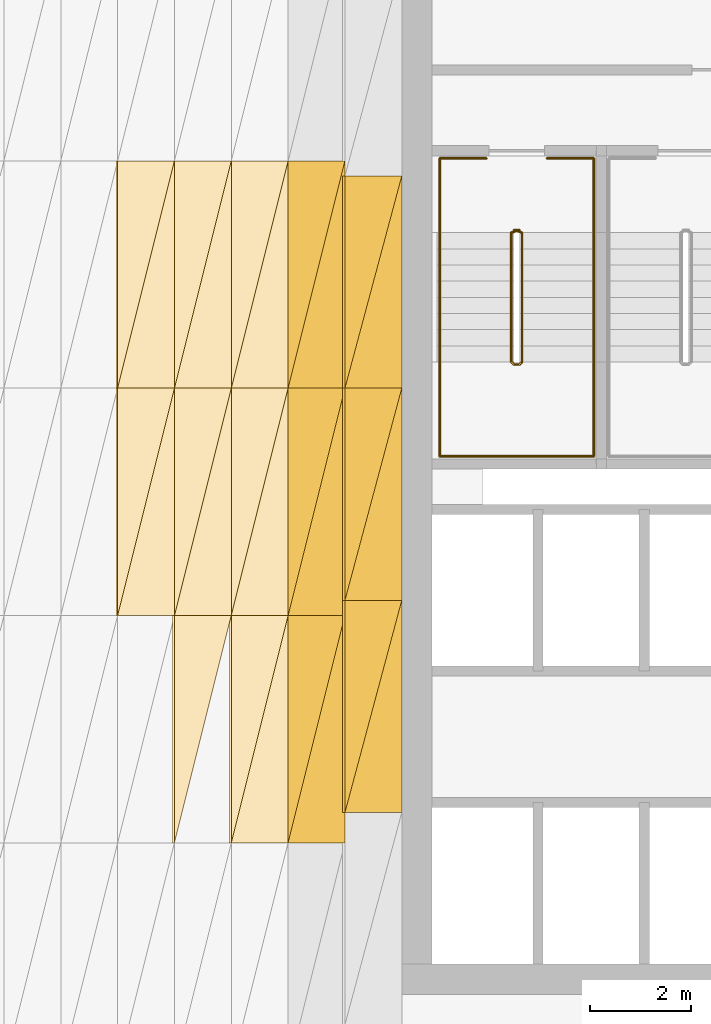
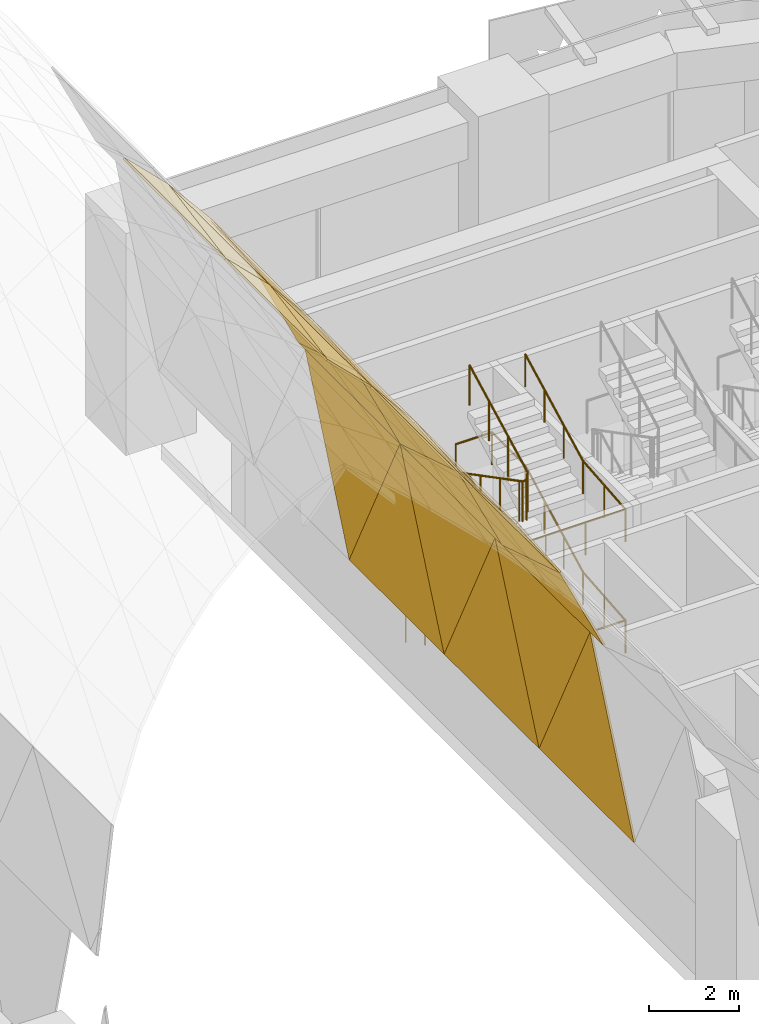
# One storey, part 44 of 46: 27 coverings, 3 railings.
"""IFC4 building model written with IfcOpenShell, lengths in metres."""

from ifc_helpers import new_model, si_unit, direction, frame, origin, origin_2d, place, context, subcontext, project, spatial, polyline, circle, outline, extrude, material, layer, layer_set, type_object, element, save


model = new_model("IFC4")

# Units and contexts
model_context = context("Model", 3, precision=1e-05, world=origin(), true_north=direction((0.0, 1.0)))
body_context = subcontext(model_context, "Body", "Model", "MODEL_VIEW")
ifc_project = project(units=[si_unit("LENGTHUNIT", "METRE"), si_unit("AREAUNIT", "SQUARE_METRE"), si_unit("VOLUMEUNIT", "CUBIC_METRE"), si_unit("PLANEANGLEUNIT", "RADIAN"), si_unit("MASSUNIT", "GRAM", prefix="KILO")], contexts=[model_context])

# Site, building, storey
site_placement = place(None, origin())
site = spatial("IfcSite", under=ifc_project, at=site_placement, CompositionType="ELEMENT")
building_placement = place(site_placement, origin())
building = spatial("IfcBuilding", under=site, at=building_placement, Name="Tessera Arch", CompositionType="ELEMENT")
storey_placement = place(building_placement, frame((0.0, 0.0, 8.0)))
storey = spatial("IfcBuildingStorey", under=building, at=storey_placement, Name="L01", CompositionType="ELEMENT", Elevation=8.0)

# Coverings
ifc_material_1 = material(Name="Aluminium cladding pale metal anodised", Category="aluminium")
ifc_layer = layer(ifc_material_1, 0.050048828125)
ifc_layer_set = layer_set([ifc_layer], Name="Arch soffit panel")
covering_type = type_object("IfcCoveringType", Name="Arch soffit panel", PredefinedType="CLADDING", material=ifc_layer_set)
covering_1_placement = place(storey_placement, frame((30.375, 36.0, 14.6337890625), z_axis=(0.70300502251, 0.0, 0.711184883364), x_axis=(0.711184883364, 0.0, -0.70300502251)))
element("IfcCovering", 1, at=covering_1_placement, inside=storey, type_object=covering_type, Name="Arch soffit panel 12-9-1", PredefinedType="CLADDING", context=body_context, shape_type="SweptSolid", body=[
    extrude(outline(polyline([(0.0, 0.0), (1.5818671435730385, 0.0), (1.5818671435730385, 4.5), (0.0, 0.0)])), origin(), (0.0, 0.0, -1.0), 0.050048828125),
])
covering_2_placement = place(storey_placement, frame((30.375, 36.0, 14.6337890625), z_axis=(0.70300502251, 0.0, 0.711184883364), x_axis=(0.235852147397, 0.943408589587, -0.233139438236)))
element("IfcCovering", 2, at=covering_2_placement, inside=storey, type_object=covering_type, Name="Arch soffit panel 12-9-2", PredefinedType="CLADDING", context=body_context, shape_type="SweptSolid", body=[
    extrude(outline(polyline([(0.0, 0.0), (4.769937490147635, 0.0), (4.245338653143071, 1.4923470508328087), (0.0, 0.0)])), origin(), (0.0, 0.0, -1.0), 0.050048828125),
])
covering_3_placement = place(storey_placement, frame((30.375, 40.5, 14.6337890625), z_axis=(0.70300502251, 0.0, 0.711184883364), x_axis=(0.711184883364, 0.0, -0.70300502251)))
element("IfcCovering", 3, at=covering_3_placement, inside=storey, type_object=covering_type, Name="Arch soffit panel 12-10-1", PredefinedType="CLADDING", context=body_context, shape_type="SweptSolid", body=[
    extrude(outline(polyline([(0.0, 0.0), (1.5818671435730385, 0.0), (1.5818671435730385, 4.5), (0.0, 0.0)])), origin(), (0.0, 0.0, -1.0), 0.050048828125),
])
covering_4_placement = place(storey_placement, frame((30.375, 40.5, 14.6337890625), z_axis=(0.70300502251, 0.0, 0.711184883364), x_axis=(0.235852147397, 0.943408589587, -0.233139438236)))
element("IfcCovering", 4, at=covering_4_placement, inside=storey, type_object=covering_type, Name="Arch soffit panel 12-10-2", PredefinedType="CLADDING", context=body_context, shape_type="SweptSolid", body=[
    extrude(outline(polyline([(0.0, 0.0), (4.769937490147635, 0.0), (4.245338653143071, 1.4923470508328087), (0.0, 0.0)])), origin(), (0.0, 0.0, -1.0), 0.050048828125),
])
covering_5_placement = place(storey_placement, frame((31.5, 31.5, 13.521728515625), z_axis=(0.769435590456, 0.0, 0.638724410164), x_axis=(0.232802733554, 0.931210934214, -0.280444438793)))
element("IfcCovering", 5, at=covering_5_placement, inside=storey, type_object=covering_type, Name="Arch soffit panel 13-8-2", PredefinedType="CLADDING", context=body_context, shape_type="SweptSolid", body=[
    extrude(outline(polyline([(0.0, 0.0), (4.832417484226257, 2.220446049250313e-16), (4.190449203964491, 1.640163244617246), (0.0, 0.0)])), origin(), (0.0, 0.0, -1.0), 0.050048828125),
])
covering_6_placement = place(storey_placement, frame((31.5, 36.0, 13.521728515625), z_axis=(0.769435590456, 0.0, 0.638724410164), x_axis=(0.638724410164, 0.0, -0.769435590456)))
element("IfcCovering", 6, at=covering_6_placement, inside=storey, type_object=covering_type, Name="Arch soffit panel 13-9-1", PredefinedType="CLADDING", context=body_context, shape_type="SweptSolid", body=[
    extrude(outline(polyline([(0.0, 0.0), (1.7613230089496987, 0.0), (1.7613230089496987, 4.5), (0.0, 0.0)])), origin(), (0.0, 0.0, -1.0), 0.050048828125),
])
covering_7_placement = place(storey_placement, frame((31.5, 36.0, 13.521728515625), z_axis=(0.769435590456, 0.0, 0.638724410164), x_axis=(0.232802733554, 0.931210934214, -0.280444438793)))
element("IfcCovering", 7, at=covering_7_placement, inside=storey, type_object=covering_type, Name="Arch soffit panel 13-9-2", PredefinedType="CLADDING", context=body_context, shape_type="SweptSolid", body=[
    extrude(outline(polyline([(0.0, 0.0), (4.832417484226257, 2.220446049250313e-16), (4.190449203964491, 1.640163244617246), (0.0, 0.0)])), origin(), (0.0, 0.0, -1.0), 0.050048828125),
])
covering_8_placement = place(storey_placement, frame((31.5, 40.5, 13.521728515625), z_axis=(0.769435590456, 0.0, 0.638724410164), x_axis=(0.638724410164, 0.0, -0.769435590456)))
element("IfcCovering", 8, at=covering_8_placement, inside=storey, type_object=covering_type, Name="Arch soffit panel 13-10-1", PredefinedType="CLADDING", context=body_context, shape_type="SweptSolid", body=[
    extrude(outline(polyline([(0.0, 0.0), (1.7613230089496987, 0.0), (1.7613230089496987, 4.5), (0.0, 0.0)])), origin(), (0.0, 0.0, -1.0), 0.050048828125),
])
covering_9_placement = place(storey_placement, frame((31.5, 40.5, 13.521728515625), z_axis=(0.769435590456, 0.0, 0.638724410164), x_axis=(0.232802733554, 0.931210934214, -0.280444438793)))
element("IfcCovering", 9, at=covering_9_placement, inside=storey, type_object=covering_type, Name="Arch soffit panel 13-10-2", PredefinedType="CLADDING", context=body_context, shape_type="SweptSolid", body=[
    extrude(outline(polyline([(0.0, 0.0), (4.832417484226257, 2.220446049250313e-16), (4.190449203964491, 1.640163244617246), (0.0, 0.0)])), origin(), (0.0, 0.0, -1.0), 0.050048828125),
])
covering_10_placement = place(storey_placement, frame((32.625, 31.5, 12.16650390625), z_axis=(0.836058150895, 0.0, 0.548640837272), x_axis=(0.548640837272, 0.0, -0.836058150895)))
element("IfcCovering", 10, at=covering_10_placement, inside=storey, type_object=covering_type, Name="Arch soffit panel 14-8-1", PredefinedType="CLADDING", context=body_context, shape_type="SweptSolid", body=[
    extrude(outline(polyline([(0.0, 0.0), (2.050521805110356, 0.0), (2.050521805110356, 4.500000000000001), (0.0, 0.0)])), origin(), (0.0, 0.0, -1.0), 0.050048828125),
])
covering_11_placement = place(storey_placement, frame((32.625, 31.5, 12.16650390625), z_axis=(0.836058150895, 0.0, 0.548640837272), x_axis=(0.227495016996, 0.909980067983, -0.346673179111)))
element("IfcCovering", 11, at=covering_11_placement, inside=storey, type_object=covering_type, Name="Arch soffit panel 14-8-2", PredefinedType="CLADDING", context=body_context, shape_type="SweptSolid", body=[
    extrude(outline(polyline([(0.0, 0.0), (4.945163260523664, 0.0), (4.094910305924995, 1.8659339716156267), (0.0, 0.0)])), origin(), (0.0, 0.0, -1.0), 0.050048828125),
])
covering_12_placement = place(storey_placement, frame((32.625, 36.0, 12.16650390625), z_axis=(0.836058150895, 0.0, 0.548640837272), x_axis=(0.548640837272, 0.0, -0.836058150895)))
element("IfcCovering", 12, at=covering_12_placement, inside=storey, type_object=covering_type, Name="Arch soffit panel 14-9-1", PredefinedType="CLADDING", context=body_context, shape_type="SweptSolid", body=[
    extrude(outline(polyline([(0.0, 0.0), (2.050521805110356, 0.0), (2.050521805110356, 4.500000000000001), (0.0, 0.0)])), origin(), (0.0, 0.0, -1.0), 0.050048828125),
])
covering_13_placement = place(storey_placement, frame((32.625, 36.0, 12.16650390625), z_axis=(0.836058150895, 0.0, 0.548640837272), x_axis=(0.227495016996, 0.909980067983, -0.346673179111)))
element("IfcCovering", 13, at=covering_13_placement, inside=storey, type_object=covering_type, Name="Arch soffit panel 14-9-2", PredefinedType="CLADDING", context=body_context, shape_type="SweptSolid", body=[
    extrude(outline(polyline([(0.0, 0.0), (4.945163260523664, 0.0), (4.094910305924995, 1.8659339716156267), (0.0, 0.0)])), origin(), (0.0, 0.0, -1.0), 0.050048828125),
])
covering_14_placement = place(storey_placement, frame((32.625, 40.5, 12.16650390625), z_axis=(0.836058150895, 0.0, 0.548640837272), x_axis=(0.548640837272, 0.0, -0.836058150895)))
element("IfcCovering", 14, at=covering_14_placement, inside=storey, type_object=covering_type, Name="Arch soffit panel 14-10-1", PredefinedType="CLADDING", context=body_context, shape_type="SweptSolid", body=[
    extrude(outline(polyline([(0.0, 0.0), (2.050521805110356, 0.0), (2.050521805110356, 4.500000000000001), (0.0, 0.0)])), origin(), (0.0, 0.0, -1.0), 0.050048828125),
])
covering_15_placement = place(storey_placement, frame((32.625, 40.5, 12.16650390625), z_axis=(0.836058150895, 0.0, 0.548640837272), x_axis=(0.227495016996, 0.909980067983, -0.346673179111)))
element("IfcCovering", 15, at=covering_15_placement, inside=storey, type_object=covering_type, Name="Arch soffit panel 14-10-2", PredefinedType="CLADDING", context=body_context, shape_type="SweptSolid", body=[
    extrude(outline(polyline([(0.0, 0.0), (4.945163260523664, 0.0), (4.094910305924995, 1.8659339716156267), (0.0, 0.0)])), origin(), (0.0, 0.0, -1.0), 0.050048828125),
])
covering_16_placement = place(storey_placement, frame((33.75, 31.5, 10.4521484375), z_axis=(0.903430696756, 0.0, 0.428734155577), x_axis=(0.428734155577, 0.0, -0.903430696756)))
element("IfcCovering", 16, at=covering_16_placement, inside=storey, type_object=covering_type, Name="Arch soffit panel 15-8-1", PredefinedType="CLADDING", context=body_context, shape_type="SweptSolid", body=[
    extrude(outline(polyline([(0.0, 0.0), (2.624003675391368, 0.0), (2.624003675391368, 4.500000000000001), (0.0, 0.0)])), origin(), (0.0, 0.0, -1.0), 0.050048828125),
])
covering_17_placement = place(storey_placement, frame((33.75, 31.5, 10.4521484375), z_axis=(0.903430696756, 0.0, 0.428734155577), x_axis=(0.215965533365, 0.863862133459, -0.455083621739)))
element("IfcCovering", 17, at=covering_17_placement, inside=storey, type_object=covering_type, Name="Arch soffit panel 15-8-2", PredefinedType="CLADDING", context=body_context, shape_type="SweptSolid", body=[
    extrude(outline(polyline([(0.0, 0.0), (5.209164548031422, 0.0), (3.887379600564281, 2.2667774132271337), (0.0, 0.0)])), origin(), (0.0, 0.0, -1.0), 0.050048828125),
])
covering_18_placement = place(storey_placement, frame((33.75, 36.0, 10.4521484375), z_axis=(0.903430696756, 0.0, 0.428734155577), x_axis=(0.428734155577, 0.0, -0.903430696756)))
element("IfcCovering", 18, at=covering_18_placement, inside=storey, type_object=covering_type, Name="Arch soffit panel 15-9-1", PredefinedType="CLADDING", context=body_context, shape_type="SweptSolid", body=[
    extrude(outline(polyline([(0.0, 0.0), (2.624003675391368, 0.0), (2.624003675391368, 4.500000000000001), (0.0, 0.0)])), origin(), (0.0, 0.0, -1.0), 0.050048828125),
])
covering_19_placement = place(storey_placement, frame((33.75, 36.0, 10.4521484375), z_axis=(0.903430696756, 0.0, 0.428734155577), x_axis=(0.215965533365, 0.863862133459, -0.455083621739)))
element("IfcCovering", 19, at=covering_19_placement, inside=storey, type_object=covering_type, Name="Arch soffit panel 15-9-2", PredefinedType="CLADDING", context=body_context, shape_type="SweptSolid", body=[
    extrude(outline(polyline([(0.0, 0.0), (5.209164548031422, 0.0), (3.887379600564281, 2.2667774132271337), (0.0, 0.0)])), origin(), (0.0, 0.0, -1.0), 0.050048828125),
])
covering_20_placement = place(storey_placement, frame((33.75, 40.5, 10.4521484375), z_axis=(0.903430696756, 0.0, 0.428734155577), x_axis=(0.428734155577, 0.0, -0.903430696756)))
element("IfcCovering", 20, at=covering_20_placement, inside=storey, type_object=covering_type, Name="Arch soffit panel 15-10-1", PredefinedType="CLADDING", context=body_context, shape_type="SweptSolid", body=[
    extrude(outline(polyline([(0.0, 0.0), (2.624003675391368, 0.0), (2.624003675391368, 4.500000000000001), (0.0, 0.0)])), origin(), (0.0, 0.0, -1.0), 0.050048828125),
])
covering_21_placement = place(storey_placement, frame((33.75, 40.5, 10.4521484375), z_axis=(0.903430696756, 0.0, 0.428734155577), x_axis=(0.215965533365, 0.863862133459, -0.455083621739)))
element("IfcCovering", 21, at=covering_21_placement, inside=storey, type_object=covering_type, Name="Arch soffit panel 15-10-2", PredefinedType="CLADDING", context=body_context, shape_type="SweptSolid", body=[
    extrude(outline(polyline([(0.0, 0.0), (5.209164548031422, 0.0), (3.887379600564281, 2.2667774132271337), (0.0, 0.0)])), origin(), (0.0, 0.0, -1.0), 0.050048828125),
])
covering_22_placement = place(storey_placement, frame((34.875, 32.10009765625, 8.08154296875), z_axis=(0.98331706381, 0.0, 0.181899840628), x_axis=(0.181899840628, 0.0, -0.98331706381)))
element("IfcCovering", 22, at=covering_22_placement, inside=storey, type_object=covering_type, Name="Arch soffit panel 16-8-1", PredefinedType="CLADDING", context=body_context, shape_type="SweptSolid", body=[
    extrude(outline(polyline([(0.0, 0.0), (6.184722296170829, 0.0), (6.184722296170829, 4.199951171875), (0.0, 0.0)])), origin(), (0.0, 0.0, -1.0), 0.050048828125),
])
covering_23_placement = place(storey_placement, frame((34.875, 32.10009765625, 8.08154296875), z_axis=(0.98331706381, 0.0, 0.181899840628), x_axis=(0.150481805158, 0.561792207927, -0.81347694585)))
element("IfcCovering", 23, at=covering_23_placement, inside=storey, type_object=covering_type, Name="Arch soffit panel 16-8-2", PredefinedType="CLADDING", context=body_context, shape_type="SweptSolid", body=[
    extrude(outline(polyline([(0.0, 0.0), (7.475986873108242, 4.440892098500626e-16), (2.3594998420322653, 3.474528794179709), (0.0, 0.0)])), origin(), (0.0, 0.0, -1.0), 0.050048828125),
])
covering_24_placement = place(storey_placement, frame((34.875, 36.300048828125, 8.08154296875), z_axis=(0.98331706381, 0.0, 0.181899840628), x_axis=(0.181899840628, 0.0, -0.98331706381)))
element("IfcCovering", 24, at=covering_24_placement, inside=storey, type_object=covering_type, Name="Arch soffit panel 16-9-1", PredefinedType="CLADDING", context=body_context, shape_type="SweptSolid", body=[
    extrude(outline(polyline([(0.0, 0.0), (6.184722296170829, 0.0), (6.184722296170829, 4.199951171875), (0.0, 0.0)])), origin(), (0.0, 0.0, -1.0), 0.050048828125),
])
covering_25_placement = place(storey_placement, frame((34.875, 36.300048828125, 8.08154296875), z_axis=(0.98331706381, 0.0, 0.181899840628), x_axis=(0.150481805158, 0.561792207927, -0.81347694585)))
element("IfcCovering", 25, at=covering_25_placement, inside=storey, type_object=covering_type, Name="Arch soffit panel 16-9-2", PredefinedType="CLADDING", context=body_context, shape_type="SweptSolid", body=[
    extrude(outline(polyline([(0.0, 0.0), (7.475986873108242, 4.440892098500626e-16), (2.3594998420322653, 3.474528794179709), (0.0, 0.0)])), origin(), (0.0, 0.0, -1.0), 0.050048828125),
])
covering_26_placement = place(storey_placement, frame((34.875, 40.5, 8.08154296875), z_axis=(0.98331706381, 0.0, 0.181899840628), x_axis=(0.181899840628, 0.0, -0.98331706381)))
element("IfcCovering", 26, at=covering_26_placement, inside=storey, type_object=covering_type, Name="Arch soffit panel 16-10-1", PredefinedType="CLADDING", context=body_context, shape_type="SweptSolid", body=[
    extrude(outline(polyline([(0.0, 0.0), (6.184722296170829, 0.0), (6.184722296170829, 4.199951171875), (0.0, 0.0)])), origin(), (0.0, 0.0, -1.0), 0.050048828125),
])
covering_27_placement = place(storey_placement, frame((34.875, 40.5, 8.08154296875), z_axis=(0.98331706381, 0.0, 0.181899840628), x_axis=(0.150481805158, 0.561792207927, -0.81347694585)))
element("IfcCovering", 27, at=covering_27_placement, inside=storey, type_object=covering_type, Name="Arch soffit panel 16-10-2", PredefinedType="CLADDING", context=body_context, shape_type="SweptSolid", body=[
    extrude(outline(polyline([(0.0, 0.0), (7.475986873108242, 4.440892098500626e-16), (2.3594998420322653, 3.474528794179709), (0.0, 0.0)])), origin(), (0.0, 0.0, -1.0), 0.050048828125),
])

# Railings
ifc_material_2 = material(Name="Painted steel balustrade", Category="steel")
railing_type_1 = type_object("IfcRailingType", Name="Stair guard 1100", PredefinedType="GUARDRAIL", material=ifc_material_2)
railing_1_placement = place(storey_placement, frame((38.219970703125, 43.6298828125, 0.0)))
element("IfcRailing", 28, at=railing_1_placement, inside=storey, type_object=railing_type_1, Name="L01 S1a stair guard 1", PredefinedType="GUARDRAIL", context=body_context, shape_type="SweptSolid", body=[
    extrude(circle(Radius=0.02392578125, at=origin_2d()), frame((-0.00390625, 0.0, 1.076171875), z_axis=(1.0, 0.0, 0.0), x_axis=(0.0, 1.0, 0.0)), (0.0, 0.0, 1.0), 0.1181640625),
    extrude(circle(Radius=0.02392578125, at=origin_2d()), frame((0.11279296875, 0.000732421875, 1.0732421875), z_axis=(-0.677174120815, -0.210584635131, 0.705045616641), x_axis=(0.296948579431, -0.954893471113, 0.0)), (0.0, 0.0, 1.0), 0.244384765625),
    extrude(circle(Radius=0.02392578125, at=origin_2d()), frame((-0.050048828125, -0.046142578125, 1.240966796875), z_axis=(0.0, -0.886929966286, 0.461903923888), x_axis=(1.0, 0.0, 0.0)), (0.0, 0.0, 1.0), 2.89453125),
    extrude(circle(Radius=0.02392578125, at=origin_2d()), frame((-0.052978515625, -2.60693359375, 2.576171875), z_axis=(0.707106781187, -0.707106781187, 0.0), x_axis=(0.707106781187, 0.707106781187, 0.0)), (0.0, 0.0, 1.0), 0.078857421875),
    extrude(circle(Radius=0.02392578125, at=origin_2d()), frame((-0.00390625, -2.659912109375, 2.576171875), z_axis=(1.0, 0.0, 0.0), x_axis=(0.0, 1.0, 0.0)), (0.0, 0.0, 1.0), 0.1181640625),
    extrude(circle(Radius=0.02392578125, at=origin_2d()), frame((0.10888671875, -2.6611328125, 2.572265625), z_axis=(0.275041040955, 0.276389281352, 0.920848191041), x_axis=(-0.708833529934, 0.705375805398, 0.0)), (0.0, 0.0, 1.0), 0.18896484375),
    extrude(circle(Radius=0.02392578125, at=origin_2d()), frame((0.159912109375, -2.613525390625, 2.740966796875), z_axis=(0.0, 0.886929966286, 0.461903923888), x_axis=(-1.0, 0.0, 0.0)), (0.0, 0.0, 1.0), 2.89453125),
    extrude(circle(Radius=0.02392578125, at=origin_2d()), frame((0.163818359375, -0.051025390625, 4.076171875), z_axis=(-0.954764847777, 0.297361876254, 0.0), x_axis=(-0.297361876254, -0.954764847777, 0.0)), (0.0, 0.0, 1.0), 0.175537109375),
    extrude(circle(Radius=0.02392578125, at=origin_2d()), frame((-0.00390625, 0.0, 4.076171875), z_axis=(1.0, 0.0, 0.0), x_axis=(0.0, 1.0, 0.0)), (0.0, 0.0, 1.0), 0.1181640625),
    extrude(circle(Radius=0.02392578125, at=origin_2d()), frame((0.11279296875, 0.000732421875, 4.0732421875), z_axis=(-0.677174120815, -0.210584635131, 0.705045616641), x_axis=(0.296948579431, -0.954893471113, 0.0)), (0.0, 0.0, 1.0), 0.244384765625),
    extrude(circle(Radius=0.02392578125, at=origin_2d()), frame((-0.050048828125, -0.046142578125, 4.240966796875), z_axis=(0.0, -0.886929966286, 0.461903923888), x_axis=(1.0, 0.0, 0.0)), (0.0, 0.0, 1.0), 2.89453125),
    extrude(circle(Radius=0.02392578125, at=origin_2d()), frame((-0.052978515625, -2.60693359375, 5.576171875), z_axis=(0.707106781187, -0.707106781187, 0.0), x_axis=(0.707106781187, 0.707106781187, 0.0)), (0.0, 0.0, 1.0), 0.078857421875),
    extrude(circle(Radius=0.02392578125, at=origin_2d()), frame((-0.00390625, -2.659912109375, 5.576171875), z_axis=(1.0, 0.0, 0.0), x_axis=(0.0, 1.0, 0.0)), (0.0, 0.0, 1.0), 0.1181640625),
    extrude(circle(Radius=0.02392578125, at=origin_2d()), frame((0.10888671875, -2.6611328125, 5.572265625), z_axis=(0.275041040955, 0.276389281352, 0.920848191041), x_axis=(-0.708833529934, 0.705375805398, 0.0)), (0.0, 0.0, 1.0), 0.18896484375),
    extrude(circle(Radius=0.02392578125, at=origin_2d()), frame((0.159912109375, -2.613525390625, 5.740966796875), z_axis=(0.0, 0.886929966286, 0.461903923888), x_axis=(-1.0, 0.0, 0.0)), (0.0, 0.0, 1.0), 2.89453125),
    extrude(circle(Radius=0.02099609375, at=origin_2d()), origin(), (0.0, 0.0, 1.0), 1.06396484375),
    extrude(circle(Radius=0.02099609375, at=origin_2d()), frame((0.110107421875, 0.0, 0.0)), (0.0, 0.0, 1.0), 1.06396484375),
    extrude(circle(Radius=0.02099609375, at=origin_2d()), frame((-0.050048828125, -0.0498046875, 0.166748046875)), (0.0, 0.0, 1.0), 1.06396484375),
    extrude(circle(Radius=0.02099609375, at=origin_2d()), frame((-0.050048828125, -0.903076171875, 0.611083984375)), (0.0, 0.0, 1.0), 1.06396484375),
    extrude(circle(Radius=0.02099609375, at=origin_2d()), frame((-0.050048828125, -1.756591796875, 1.0556640625)), (0.0, 0.0, 1.0), 1.06396484375),
    extrude(circle(Radius=0.02099609375, at=origin_2d()), frame((-0.050048828125, -2.60986328125, 1.5)), (0.0, 0.0, 1.0), 1.06396484375),
    extrude(circle(Radius=0.02099609375, at=origin_2d()), frame((0.0, -2.659912109375, 1.5)), (0.0, 0.0, 1.0), 1.06396484375),
    extrude(circle(Radius=0.02099609375, at=origin_2d()), frame((0.110107421875, -2.659912109375, 1.5)), (0.0, 0.0, 1.0), 1.06396484375),
    extrude(circle(Radius=0.02099609375, at=origin_2d()), frame((0.159912109375, -2.60986328125, 1.666748046875)), (0.0, 0.0, 1.0), 1.06396484375),
    extrude(circle(Radius=0.02099609375, at=origin_2d()), frame((0.159912109375, -1.756591796875, 2.111083984375)), (0.0, 0.0, 1.0), 1.06396484375),
    extrude(circle(Radius=0.02099609375, at=origin_2d()), frame((0.159912109375, -0.903076171875, 2.5556640625)), (0.0, 0.0, 1.0), 1.06396484375),
    extrude(circle(Radius=0.02099609375, at=origin_2d()), frame((0.159912109375, -0.0498046875, 3.0)), (0.0, 0.0, 1.0), 1.06396484375),
    extrude(circle(Radius=0.02099609375, at=origin_2d()), frame((0.0, 0.0, 3.0)), (0.0, 0.0, 1.0), 1.06396484375),
    extrude(circle(Radius=0.02099609375, at=origin_2d()), frame((0.110107421875, 0.0, 3.0)), (0.0, 0.0, 1.0), 1.06396484375),
    extrude(circle(Radius=0.02099609375, at=origin_2d()), frame((-0.050048828125, -0.0498046875, 3.166748046875)), (0.0, 0.0, 1.0), 1.06396484375),
    extrude(circle(Radius=0.02099609375, at=origin_2d()), frame((-0.050048828125, -0.903076171875, 3.611083984375)), (0.0, 0.0, 1.0), 1.06396484375),
    extrude(circle(Radius=0.02099609375, at=origin_2d()), frame((-0.050048828125, -1.756591796875, 4.0556640625)), (0.0, 0.0, 1.0), 1.06396484375),
    extrude(circle(Radius=0.02099609375, at=origin_2d()), frame((-0.050048828125, -2.60986328125, 4.5)), (0.0, 0.0, 1.0), 1.06396484375),
    extrude(circle(Radius=0.02099609375, at=origin_2d()), frame((0.0, -2.659912109375, 4.5)), (0.0, 0.0, 1.0), 1.06396484375),
    extrude(circle(Radius=0.02099609375, at=origin_2d()), frame((0.110107421875, -2.659912109375, 4.5)), (0.0, 0.0, 1.0), 1.06396484375),
    extrude(circle(Radius=0.02099609375, at=origin_2d()), frame((0.159912109375, -2.60986328125, 4.666748046875)), (0.0, 0.0, 1.0), 1.06396484375),
    extrude(circle(Radius=0.02099609375, at=origin_2d()), frame((0.159912109375, -1.756591796875, 5.111083984375)), (0.0, 0.0, 1.0), 1.06396484375),
    extrude(circle(Radius=0.02099609375, at=origin_2d()), frame((0.159912109375, -0.903076171875, 5.5556640625)), (0.0, 0.0, 1.0), 1.06396484375),
    extrude(circle(Radius=0.02099609375, at=origin_2d()), frame((0.159912109375, -0.0498046875, 6.0)), (0.0, 0.0, 1.0), 1.06396484375),
])
ifc_material_3 = material(Name="Painted steel handrail", Category="steel")
railing_type_2 = type_object("IfcRailingType", Name="Stair handrail 900", PredefinedType="HANDRAIL", material=ifc_material_3)
railing_2_placement = place(storey_placement, frame((36.75, 43.580078125, 0.166748046875)))
element("IfcRailing", 29, at=railing_2_placement, inside=storey, type_object=railing_type_2, Name="L01 S1a stair handrail", PredefinedType="HANDRAIL", context=body_context, shape_type="SweptSolid", body=[
    extrude(circle(Radius=0.02392578125, at=origin_2d()), frame((0.0, 0.003662109375, 0.8740234375), z_axis=(0.0, -0.886929966286, 0.461903923888), x_axis=(1.0, 0.0, 0.0)), (0.0, 0.0, 1.0), 2.89453125),
    extrude(circle(Radius=0.02392578125, at=origin_2d()), frame((0.0, -2.55615234375, 2.208984375), z_axis=(0.0, -1.0, 0.0), x_axis=(1.0, 0.0, 0.0)), (0.0, 0.0, 1.0), 1.878173828125),
    extrude(circle(Radius=0.02392578125, at=origin_2d()), frame((-0.00390625, -4.43017578125, 2.208984375), z_axis=(1.0, 0.0, 0.0), x_axis=(0.0, 1.0, 0.0)), (0.0, 0.0, 1.0), 3.05810546875),
    extrude(circle(Radius=0.02392578125, at=origin_2d()), frame((3.050048828125, -4.43408203125, 2.208740234375), z_axis=(0.0, 0.996048393597, 0.088812147889), x_axis=(-1.0, 0.0, 0.0)), (0.0, 0.0, 1.0), 1.885498046875),
    extrude(circle(Radius=0.02392578125, at=origin_2d()), frame((3.050048828125, -2.563720703125, 2.3740234375), z_axis=(0.0, 0.886929966286, 0.461903923888), x_axis=(-1.0, 0.0, 0.0)), (0.0, 0.0, 1.0), 2.89453125),
    extrude(circle(Radius=0.02392578125, at=origin_2d()), frame((3.050048828125, -0.00390625, 3.708984375), z_axis=(0.0, 1.0, 0.0), x_axis=(-1.0, 0.0, 0.0)), (0.0, 0.0, 1.0), 1.47802734375),
    extrude(circle(Radius=0.02392578125, at=origin_2d()), frame((3.053955078125, 1.469970703125, 3.708984375), z_axis=(-1.0, 0.0, 0.0), x_axis=(0.0, -1.0, 0.0)), (0.0, 0.0, 1.0), 0.93310546875),
    extrude(circle(Radius=0.02099609375, at=origin_2d()), origin(), (0.0, 0.0, 1.0), 0.86376953125),
    extrude(circle(Radius=0.02099609375, at=origin_2d()), frame((0.0, -0.853271484375, 0.4443359375)), (0.0, 0.0, 1.0), 0.86376953125),
    extrude(circle(Radius=0.02099609375, at=origin_2d()), frame((0.0, -1.706787109375, 0.888916015625)), (0.0, 0.0, 1.0), 0.86376953125),
    extrude(circle(Radius=0.02099609375, at=origin_2d()), frame((0.0, -2.56005859375, 1.333251953125)), (0.0, 0.0, 1.0), 0.86376953125),
    extrude(circle(Radius=0.02099609375, at=origin_2d()), frame((0.0, -3.4951171875, 1.333251953125)), (0.0, 0.0, 1.0), 0.86376953125),
    extrude(circle(Radius=0.02099609375, at=origin_2d()), frame((0.0, -4.43017578125, 1.333251953125)), (0.0, 0.0, 1.0), 0.86376953125),
    extrude(circle(Radius=0.02099609375, at=origin_2d()), frame((1.0166015625, -4.43017578125, 1.333251953125)), (0.0, 0.0, 1.0), 0.86376953125),
    extrude(circle(Radius=0.02099609375, at=origin_2d()), frame((2.033447265625, -4.43017578125, 1.333251953125)), (0.0, 0.0, 1.0), 0.86376953125),
    extrude(circle(Radius=0.02099609375, at=origin_2d()), frame((3.050048828125, -4.43017578125, 1.333251953125)), (0.0, 0.0, 1.0), 0.86376953125),
    extrude(circle(Radius=0.02099609375, at=origin_2d()), frame((3.050048828125, -3.4951171875, 1.41650390625)), (0.0, 0.0, 1.0), 0.86376953125),
    extrude(circle(Radius=0.02099609375, at=origin_2d()), frame((3.050048828125, -2.56005859375, 1.5)), (0.0, 0.0, 1.0), 0.86376953125),
    extrude(circle(Radius=0.02099609375, at=origin_2d()), frame((3.050048828125, -1.706787109375, 1.9443359375)), (0.0, 0.0, 1.0), 0.86376953125),
    extrude(circle(Radius=0.02099609375, at=origin_2d()), frame((3.050048828125, -0.853271484375, 2.388916015625)), (0.0, 0.0, 1.0), 0.86376953125),
    extrude(circle(Radius=0.02099609375, at=origin_2d()), frame((3.050048828125, 0.0, 2.833251953125)), (0.0, 0.0, 1.0), 0.86376953125),
    extrude(circle(Radius=0.02099609375, at=origin_2d()), frame((3.050048828125, 0.73486328125, 2.833251953125)), (0.0, 0.0, 1.0), 0.86376953125),
    extrude(circle(Radius=0.02099609375, at=origin_2d()), frame((3.050048828125, 1.469970703125, 2.833251953125)), (0.0, 0.0, 1.0), 0.86376953125),
    extrude(circle(Radius=0.02099609375, at=origin_2d()), frame((2.125, 1.469970703125, 2.833251953125)), (0.0, 0.0, 1.0), 0.86376953125),
])
railing_3_placement = place(storey_placement, frame((37.675048828125, 45.050048828125, 3.0)))
element("IfcRailing", 30, at=railing_3_placement, inside=storey, type_object=railing_type_2, Name="L01 S1a stair handrail 2", PredefinedType="HANDRAIL", context=body_context, shape_type="SweptSolid", body=[
    extrude(circle(Radius=0.02392578125, at=origin_2d()), frame((0.00390625, 0.0, 0.8759765625), z_axis=(-1.0, 0.0, 0.0), x_axis=(0.0, -1.0, 0.0)), (0.0, 0.0, 1.0), 0.93310546875),
    extrude(circle(Radius=0.02392578125, at=origin_2d()), frame((-0.925048828125, 0.00390625, 0.87548828125), z_axis=(0.0, -0.993627536354, 0.112713437524), x_axis=(1.0, 0.0, 0.0)), (0.0, 0.0, 1.0), 1.4873046875),
    extrude(circle(Radius=0.02392578125, at=origin_2d()), frame((-0.925048828125, -1.46630859375, 1.040771484375), z_axis=(0.0, -0.886929966286, 0.461903923888), x_axis=(1.0, 0.0, 0.0)), (0.0, 0.0, 1.0), 2.89453125),
    extrude(circle(Radius=0.02392578125, at=origin_2d()), frame((-0.925048828125, -4.026123046875, 2.3759765625), z_axis=(0.0, -1.0, 0.0), x_axis=(1.0, 0.0, 0.0)), (0.0, 0.0, 1.0), 1.878173828125),
    extrude(circle(Radius=0.02392578125, at=origin_2d()), frame((-0.928955078125, -5.900146484375, 2.3759765625), z_axis=(1.0, 0.0, 0.0), x_axis=(0.0, 1.0, 0.0)), (0.0, 0.0, 1.0), 3.05810546875),
    extrude(circle(Radius=0.02392578125, at=origin_2d()), frame((2.125, -5.904052734375, 2.37548828125), z_axis=(0.0, 0.996048393597, 0.088812147889), x_axis=(-1.0, 0.0, 0.0)), (0.0, 0.0, 1.0), 1.885498046875),
    extrude(circle(Radius=0.02392578125, at=origin_2d()), frame((2.125, -4.03369140625, 2.540771484375), z_axis=(0.0, 0.886929966286, 0.461903923888), x_axis=(-1.0, 0.0, 0.0)), (0.0, 0.0, 1.0), 2.89453125),
    extrude(circle(Radius=0.02099609375, at=origin_2d()), origin(), (0.0, 0.0, 1.0), 0.86376953125),
    extrude(circle(Radius=0.02099609375, at=origin_2d()), frame((-0.925048828125, 0.0, 0.0)), (0.0, 0.0, 1.0), 0.86376953125),
    extrude(circle(Radius=0.02099609375, at=origin_2d()), frame((-0.925048828125, -0.73486328125, 0.08349609375)), (0.0, 0.0, 1.0), 0.86376953125),
    extrude(circle(Radius=0.02099609375, at=origin_2d()), frame((-0.925048828125, -1.469970703125, 0.166748046875)), (0.0, 0.0, 1.0), 0.86376953125),
    extrude(circle(Radius=0.02099609375, at=origin_2d()), frame((-0.925048828125, -2.3232421875, 0.611083984375)), (0.0, 0.0, 1.0), 0.86376953125),
    extrude(circle(Radius=0.02099609375, at=origin_2d()), frame((-0.925048828125, -3.1767578125, 1.0556640625)), (0.0, 0.0, 1.0), 0.86376953125),
    extrude(circle(Radius=0.02099609375, at=origin_2d()), frame((-0.925048828125, -4.030029296875, 1.5)), (0.0, 0.0, 1.0), 0.86376953125),
    extrude(circle(Radius=0.02099609375, at=origin_2d()), frame((-0.925048828125, -4.965087890625, 1.5)), (0.0, 0.0, 1.0), 0.86376953125),
    extrude(circle(Radius=0.02099609375, at=origin_2d()), frame((-0.925048828125, -5.900146484375, 1.5)), (0.0, 0.0, 1.0), 0.86376953125),
    extrude(circle(Radius=0.02099609375, at=origin_2d()), frame((0.091552734375, -5.900146484375, 1.5)), (0.0, 0.0, 1.0), 0.86376953125),
    extrude(circle(Radius=0.02099609375, at=origin_2d()), frame((1.1083984375, -5.900146484375, 1.5)), (0.0, 0.0, 1.0), 0.86376953125),
    extrude(circle(Radius=0.02099609375, at=origin_2d()), frame((2.125, -5.900146484375, 1.5)), (0.0, 0.0, 1.0), 0.86376953125),
    extrude(circle(Radius=0.02099609375, at=origin_2d()), frame((2.125, -4.965087890625, 1.58349609375)), (0.0, 0.0, 1.0), 0.86376953125),
    extrude(circle(Radius=0.02099609375, at=origin_2d()), frame((2.125, -4.030029296875, 1.666748046875)), (0.0, 0.0, 1.0), 0.86376953125),
    extrude(circle(Radius=0.02099609375, at=origin_2d()), frame((2.125, -3.1767578125, 2.111083984375)), (0.0, 0.0, 1.0), 0.86376953125),
    extrude(circle(Radius=0.02099609375, at=origin_2d()), frame((2.125, -2.3232421875, 2.5556640625)), (0.0, 0.0, 1.0), 0.86376953125),
    extrude(circle(Radius=0.02099609375, at=origin_2d()), frame((2.125, -1.469970703125, 3.0)), (0.0, 0.0, 1.0), 0.86376953125),
])

save(model, "model.ifc")
